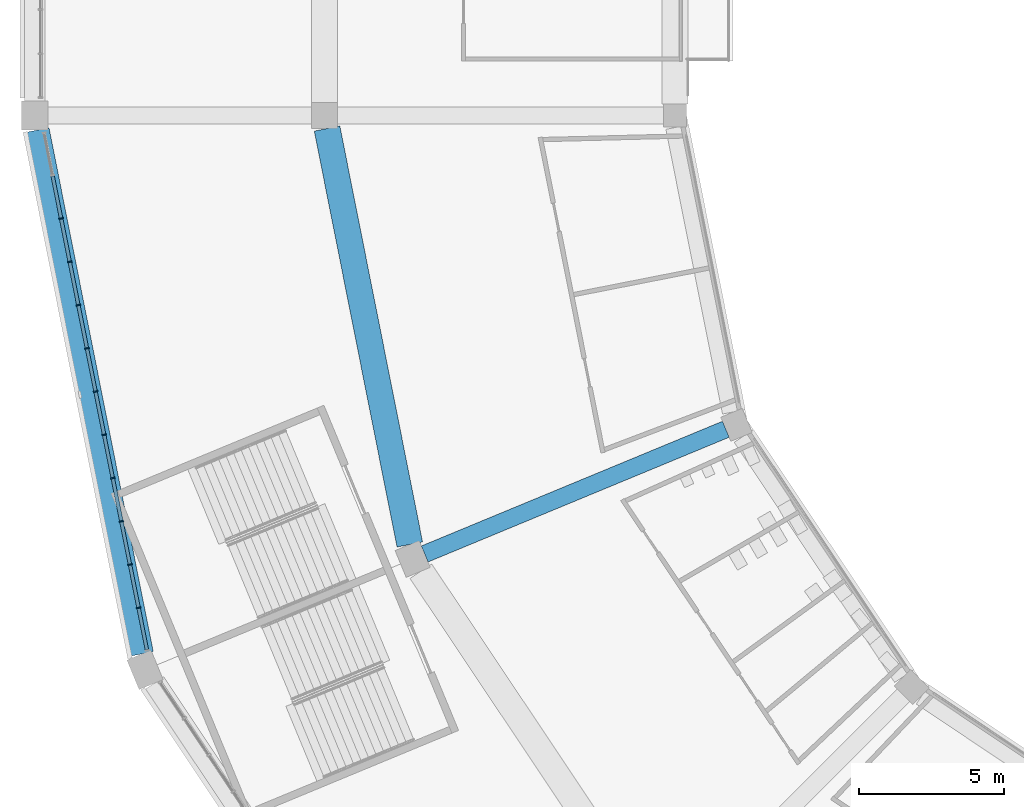
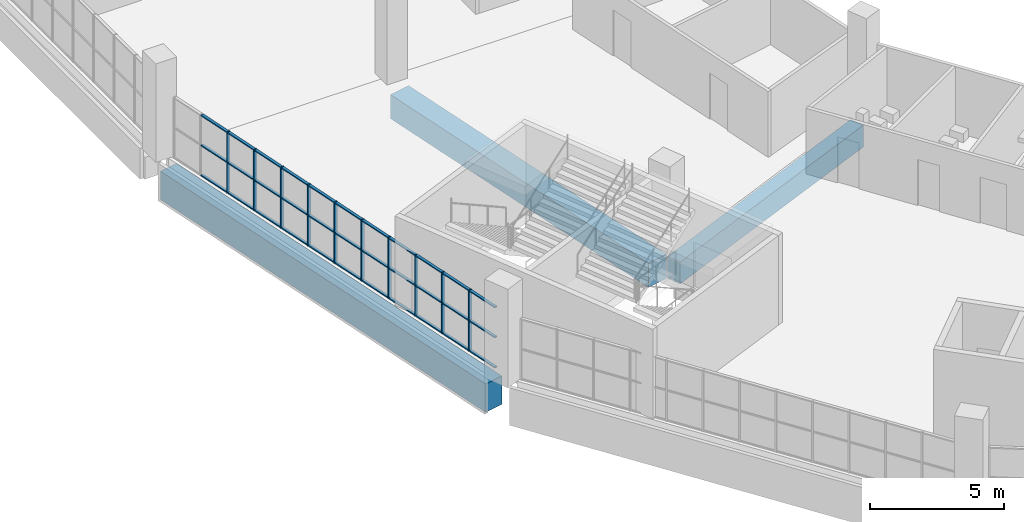
# One storey, part 8 of 199: 43 members, 3 beams, 1 element without a shape of its own.
"""IFC4 building model written with IfcOpenShell, lengths in metres."""

from ifc_helpers import new_model, si_unit, direction, frame, origin, origin_2d, place, context, subcontext, project, spatial, rectangle, extrude, material, material_profile, profile_set, type_object, element, aggregate, save


model = new_model("IFC4")

# Units and contexts
model_context = context("Model", 3, precision=1e-05, world=origin(), true_north=direction((0.0, 1.0)))
body_context = subcontext(model_context, "Body", "Model", "MODEL_VIEW")
ifc_project = project(units=[si_unit("LENGTHUNIT", "METRE"), si_unit("AREAUNIT", "SQUARE_METRE"), si_unit("VOLUMEUNIT", "CUBIC_METRE"), si_unit("PLANEANGLEUNIT", "RADIAN"), si_unit("MASSUNIT", "GRAM", prefix="KILO")], contexts=[model_context])

# Site, building, storey
site_placement = place(None, origin())
site = spatial("IfcSite", under=ifc_project, at=site_placement, CompositionType="ELEMENT")
building_placement = place(site_placement, origin())
building = spatial("IfcBuilding", under=site, at=building_placement, Name="Ogive Plaza Stadium", CompositionType="ELEMENT")
storey_placement = place(building_placement, frame((0.0, 0.0, 9.0)))
storey = spatial("IfcBuildingStorey", under=building, at=storey_placement, Name="L02", CompositionType="ELEMENT", Elevation=9.0)

# Curtain wall, members
ifc_material_1 = material(Name="Bronze-anodised aluminium with laminated glass", Category="aluminium")
curtain_wall_type = type_object("IfcCurtainWallType", Name="Lancet curtain wall", PredefinedType="NOTDEFINED", material=ifc_material_1)
curtain_wall_placement = place(storey_placement, origin())
curtain_wall = element("IfcCurtainWall", 1, at=curtain_wall_placement, inside=storey, type_object=curtain_wall_type, Name="CURTAIN WALL B20 L02", PredefinedType="NOTDEFINED")
ifc_material_2 = material(Name="Bronze-anodised aluminium", Category="aluminium")
ifc_material_profile_1 = material_profile(ifc_material_2, rectangle(XDim=0.14990234375, YDim=0.050048828125, at=origin_2d()), Name="AL 150x50")
ifc_profile_set_1 = profile_set([ifc_material_profile_1], Name="Bronze-anodised aluminium")
member_type_1 = type_object("IfcMemberType", Name="Curtain wall mullion 50x150", PredefinedType="MULLION", material=ifc_profile_set_1)
member_1_placement = place(storey_placement, frame((-80.415771484375, -69.49365234375, 0.0), z_axis=(0.0, 0.0, 1.0), x_axis=(-0.9807852804, -0.195090322033, 0.0)))
member_1 = element("IfcMember", 2, at=member_1_placement, type_object=member_type_1, Name="CW-B20-L02 mullion 2", PredefinedType="MULLION", context=body_context, shape_type="SweptSolid", body=[
    extrude(rectangle(XDim=0.14990234375, YDim=0.050048828125, at=origin_2d()), origin(), (0.0, 0.0, 1.0), 2.7900390625),
])
member_2_placement = place(storey_placement, frame((-80.712890625, -68.00048828125, 0.0), z_axis=(0.0, 0.0, 1.0), x_axis=(-0.9807852804, -0.195090322033, 0.0)))
member_2 = element("IfcMember", 3, at=member_2_placement, type_object=member_type_1, Name="CW-B20-L02 mullion 3", PredefinedType="MULLION", context=body_context, shape_type="SweptSolid", body=[
    extrude(rectangle(XDim=0.14990234375, YDim=0.050048828125, at=origin_2d()), origin(), (0.0, 0.0, 1.0), 2.7900390625),
])
member_3_placement = place(storey_placement, frame((-81.009765625, -66.50732421875, 0.0), z_axis=(0.0, 0.0, 1.0), x_axis=(-0.9807852804, -0.195090322033, 0.0)))
member_3 = element("IfcMember", 4, at=member_3_placement, type_object=member_type_1, Name="CW-B20-L02 mullion 4", PredefinedType="MULLION", context=body_context, shape_type="SweptSolid", body=[
    extrude(rectangle(XDim=0.14990234375, YDim=0.050048828125, at=origin_2d()), origin(), (0.0, 0.0, 1.0), 2.7900390625),
])
member_4_placement = place(storey_placement, frame((-81.306884765625, -65.01416015625, 0.0), z_axis=(0.0, 0.0, 1.0), x_axis=(-0.9807852804, -0.195090322033, 0.0)))
member_4 = element("IfcMember", 5, at=member_4_placement, type_object=member_type_1, Name="CW-B20-L02 mullion 5", PredefinedType="MULLION", context=body_context, shape_type="SweptSolid", body=[
    extrude(rectangle(XDim=0.14990234375, YDim=0.050048828125, at=origin_2d()), origin(), (0.0, 0.0, 1.0), 2.7900390625),
])
member_5_placement = place(storey_placement, frame((-81.603759765625, -63.521240234375, 0.0), z_axis=(0.0, 0.0, 1.0), x_axis=(-0.9807852804, -0.195090322033, 0.0)))
member_5 = element("IfcMember", 6, at=member_5_placement, type_object=member_type_1, Name="CW-B20-L02 mullion 6", PredefinedType="MULLION", context=body_context, shape_type="SweptSolid", body=[
    extrude(rectangle(XDim=0.14990234375, YDim=0.050048828125, at=origin_2d()), origin(), (0.0, 0.0, 1.0), 2.7900390625),
])
member_6_placement = place(storey_placement, frame((-81.90087890625, -62.028076171875, 0.0), z_axis=(0.0, 0.0, 1.0), x_axis=(-0.9807852804, -0.195090322033, 0.0)))
member_6 = element("IfcMember", 7, at=member_6_placement, type_object=member_type_1, Name="CW-B20-L02 mullion 7", PredefinedType="MULLION", context=body_context, shape_type="SweptSolid", body=[
    extrude(rectangle(XDim=0.14990234375, YDim=0.050048828125, at=origin_2d()), origin(), (0.0, 0.0, 1.0), 2.7900390625),
])
member_7_placement = place(storey_placement, frame((-82.19775390625, -60.534912109375, 0.0), z_axis=(0.0, 0.0, 1.0), x_axis=(-0.9807852804, -0.195090322033, 0.0)))
member_7 = element("IfcMember", 8, at=member_7_placement, type_object=member_type_1, Name="CW-B20-L02 mullion 8", PredefinedType="MULLION", context=body_context, shape_type="SweptSolid", body=[
    extrude(rectangle(XDim=0.14990234375, YDim=0.050048828125, at=origin_2d()), origin(), (0.0, 0.0, 1.0), 2.7900390625),
])
member_8_placement = place(storey_placement, frame((-82.494873046875, -59.0419921875, 0.0), z_axis=(0.0, 0.0, 1.0), x_axis=(-0.9807852804, -0.195090322033, 0.0)))
member_8 = element("IfcMember", 9, at=member_8_placement, type_object=member_type_1, Name="CW-B20-L02 mullion 9", PredefinedType="MULLION", context=body_context, shape_type="SweptSolid", body=[
    extrude(rectangle(XDim=0.14990234375, YDim=0.050048828125, at=origin_2d()), origin(), (0.0, 0.0, 1.0), 2.7900390625),
])
member_9_placement = place(storey_placement, frame((-82.791748046875, -57.548828125, 0.0), z_axis=(0.0, 0.0, 1.0), x_axis=(-0.9807852804, -0.195090322033, 0.0)))
member_9 = element("IfcMember", 10, at=member_9_placement, type_object=member_type_1, Name="CW-B20-L02 mullion 10", PredefinedType="MULLION", context=body_context, shape_type="SweptSolid", body=[
    extrude(rectangle(XDim=0.14990234375, YDim=0.050048828125, at=origin_2d()), origin(), (0.0, 0.0, 1.0), 2.7900390625),
])
member_10_placement = place(storey_placement, frame((-83.0888671875, -56.0556640625, 0.0), z_axis=(0.0, 0.0, 1.0), x_axis=(-0.9807852804, -0.195090322033, 0.0)))
member_10 = element("IfcMember", 11, at=member_10_placement, type_object=member_type_1, Name="CW-B20-L02 mullion 11", PredefinedType="MULLION", context=body_context, shape_type="SweptSolid", body=[
    extrude(rectangle(XDim=0.14990234375, YDim=0.050048828125, at=origin_2d()), origin(), (0.0, 0.0, 1.0), 2.7900390625),
])
ifc_material_3 = material(Name="Bronze-anodised aluminium", Category="aluminium")
ifc_material_profile_2 = material_profile(ifc_material_3, rectangle(XDim=0.1201171875, YDim=0.050048828125, at=origin_2d()), Name="AL 120x50")
ifc_profile_set_2 = profile_set([ifc_material_profile_2], Name="Bronze-anodised aluminium")
member_type_2 = type_object("IfcMemberType", Name="Curtain wall transom 50x120", PredefinedType="USERDEFINED", material=ifc_profile_set_2)
member_11_placement = place(storey_placement, frame((-80.128662109375, -70.9375, 0.02490234375), z_axis=(-0.195012996379, 0.98080065826, 0.0), x_axis=(-0.98080065826, -0.195012996379, 0.0)))
member_11 = element("IfcMember", 12, at=member_11_placement, type_object=member_type_2, Name="CW-B20-L02 transom 1.1", ObjectType="TRANSOM", PredefinedType="USERDEFINED", context=body_context, shape_type="SweptSolid", body=[
    extrude(rectangle(XDim=0.1201171875, YDim=0.050048828125, at=origin_2d()), origin(), (0.0, 0.0, 1.0), 1.447265625),
])
member_12_placement = place(storey_placement, frame((-80.128662109375, -70.9375, 1.39501953125), z_axis=(-0.195012996379, 0.98080065826, 0.0), x_axis=(-0.98080065826, -0.195012996379, 0.0)))
member_12 = element("IfcMember", 13, at=member_12_placement, type_object=member_type_2, Name="CW-B20-L02 transom 1.2", ObjectType="TRANSOM", PredefinedType="USERDEFINED", context=body_context, shape_type="SweptSolid", body=[
    extrude(rectangle(XDim=0.1201171875, YDim=0.050048828125, at=origin_2d()), origin(), (0.0, 0.0, 1.0), 1.447265625),
])
member_13_placement = place(storey_placement, frame((-80.128662109375, -70.9375, 2.764892578125), z_axis=(-0.195012996379, 0.98080065826, 0.0), x_axis=(-0.98080065826, -0.195012996379, 0.0)))
member_13 = element("IfcMember", 14, at=member_13_placement, type_object=member_type_2, Name="CW-B20-L02 transom 1.3", ObjectType="TRANSOM", PredefinedType="USERDEFINED", context=body_context, shape_type="SweptSolid", body=[
    extrude(rectangle(XDim=0.1201171875, YDim=0.050048828125, at=origin_2d()), origin(), (0.0, 0.0, 1.0), 1.447265625),
])
member_14_placement = place(storey_placement, frame((-80.420654296875, -69.468994140625, 0.02490234375), z_axis=(-0.195159440417, 0.980771529367, 0.0), x_axis=(-0.980771529367, -0.195159440417, 0.0)))
member_14 = element("IfcMember", 15, at=member_14_placement, type_object=member_type_2, Name="CW-B20-L02 transom 2.1", ObjectType="TRANSOM", PredefinedType="USERDEFINED", context=body_context, shape_type="SweptSolid", body=[
    extrude(rectangle(XDim=0.1201171875, YDim=0.050048828125, at=origin_2d()), origin(), (0.0, 0.0, 1.0), 1.472412109375),
])
member_15_placement = place(storey_placement, frame((-80.420654296875, -69.468994140625, 1.39501953125), z_axis=(-0.195159440417, 0.980771529367, 0.0), x_axis=(-0.980771529367, -0.195159440417, 0.0)))
member_15 = element("IfcMember", 16, at=member_15_placement, type_object=member_type_2, Name="CW-B20-L02 transom 2.2", ObjectType="TRANSOM", PredefinedType="USERDEFINED", context=body_context, shape_type="SweptSolid", body=[
    extrude(rectangle(XDim=0.1201171875, YDim=0.050048828125, at=origin_2d()), origin(), (0.0, 0.0, 1.0), 1.472412109375),
])
member_16_placement = place(storey_placement, frame((-80.420654296875, -69.468994140625, 2.764892578125), z_axis=(-0.195159440417, 0.980771529367, 0.0), x_axis=(-0.980771529367, -0.195159440417, 0.0)))
member_16 = element("IfcMember", 17, at=member_16_placement, type_object=member_type_2, Name="CW-B20-L02 transom 2.3", ObjectType="TRANSOM", PredefinedType="USERDEFINED", context=body_context, shape_type="SweptSolid", body=[
    extrude(rectangle(XDim=0.1201171875, YDim=0.050048828125, at=origin_2d()), origin(), (0.0, 0.0, 1.0), 1.472412109375),
])
member_17_placement = place(storey_placement, frame((-80.7177734375, -67.975830078125, 0.02490234375), z_axis=(-0.19503165555, 0.980796948065, 0.0), x_axis=(-0.980796948065, -0.19503165555, 0.0)))
member_17 = element("IfcMember", 18, at=member_17_placement, type_object=member_type_2, Name="CW-B20-L02 transom 3.1", ObjectType="TRANSOM", PredefinedType="USERDEFINED", context=body_context, shape_type="SweptSolid", body=[
    extrude(rectangle(XDim=0.1201171875, YDim=0.050048828125, at=origin_2d()), origin(), (0.0, 0.0, 1.0), 1.47216796875),
])
member_18_placement = place(storey_placement, frame((-80.7177734375, -67.975830078125, 1.39501953125), z_axis=(-0.19503165555, 0.980796948065, 0.0), x_axis=(-0.980796948065, -0.19503165555, 0.0)))
member_18 = element("IfcMember", 19, at=member_18_placement, type_object=member_type_2, Name="CW-B20-L02 transom 3.2", ObjectType="TRANSOM", PredefinedType="USERDEFINED", context=body_context, shape_type="SweptSolid", body=[
    extrude(rectangle(XDim=0.1201171875, YDim=0.050048828125, at=origin_2d()), origin(), (0.0, 0.0, 1.0), 1.47216796875),
])
member_19_placement = place(storey_placement, frame((-80.7177734375, -67.975830078125, 2.764892578125), z_axis=(-0.19503165555, 0.980796948065, 0.0), x_axis=(-0.980796948065, -0.19503165555, 0.0)))
member_19 = element("IfcMember", 20, at=member_19_placement, type_object=member_type_2, Name="CW-B20-L02 transom 3.3", ObjectType="TRANSOM", PredefinedType="USERDEFINED", context=body_context, shape_type="SweptSolid", body=[
    extrude(rectangle(XDim=0.1201171875, YDim=0.050048828125, at=origin_2d()), origin(), (0.0, 0.0, 1.0), 1.47216796875),
])
member_20_placement = place(storey_placement, frame((-81.0146484375, -66.48291015625, 0.02490234375), z_axis=(-0.195159440417, 0.980771529367, 0.0), x_axis=(-0.980771529367, -0.195159440417, 0.0)))
member_20 = element("IfcMember", 21, at=member_20_placement, type_object=member_type_2, Name="CW-B20-L02 transom 4.1", ObjectType="TRANSOM", PredefinedType="USERDEFINED", context=body_context, shape_type="SweptSolid", body=[
    extrude(rectangle(XDim=0.1201171875, YDim=0.050048828125, at=origin_2d()), origin(), (0.0, 0.0, 1.0), 1.472412109375),
])
member_21_placement = place(storey_placement, frame((-81.0146484375, -66.48291015625, 1.39501953125), z_axis=(-0.195159440417, 0.980771529367, 0.0), x_axis=(-0.980771529367, -0.195159440417, 0.0)))
member_21 = element("IfcMember", 22, at=member_21_placement, type_object=member_type_2, Name="CW-B20-L02 transom 4.2", ObjectType="TRANSOM", PredefinedType="USERDEFINED", context=body_context, shape_type="SweptSolid", body=[
    extrude(rectangle(XDim=0.1201171875, YDim=0.050048828125, at=origin_2d()), origin(), (0.0, 0.0, 1.0), 1.472412109375),
])
member_22_placement = place(storey_placement, frame((-81.0146484375, -66.48291015625, 2.764892578125), z_axis=(-0.195159440417, 0.980771529367, 0.0), x_axis=(-0.980771529367, -0.195159440417, 0.0)))
member_22 = element("IfcMember", 23, at=member_22_placement, type_object=member_type_2, Name="CW-B20-L02 transom 4.3", ObjectType="TRANSOM", PredefinedType="USERDEFINED", context=body_context, shape_type="SweptSolid", body=[
    extrude(rectangle(XDim=0.1201171875, YDim=0.050048828125, at=origin_2d()), origin(), (0.0, 0.0, 1.0), 1.472412109375),
])
member_23_placement = place(storey_placement, frame((-81.311767578125, -64.98974609375, 0.02490234375), z_axis=(-0.194999937042, 0.980803254763, 0.0), x_axis=(-0.980803254763, -0.194999937042, 0.0)))
member_23 = element("IfcMember", 24, at=member_23_placement, type_object=member_type_2, Name="CW-B20-L02 transom 5.1", ObjectType="TRANSOM", PredefinedType="USERDEFINED", context=body_context, shape_type="SweptSolid", body=[
    extrude(rectangle(XDim=0.1201171875, YDim=0.050048828125, at=origin_2d()), origin(), (0.0, 0.0, 1.0), 1.472412109375),
])
member_24_placement = place(storey_placement, frame((-81.311767578125, -64.98974609375, 1.39501953125), z_axis=(-0.194999937042, 0.980803254763, 0.0), x_axis=(-0.980803254763, -0.194999937042, 0.0)))
member_24 = element("IfcMember", 25, at=member_24_placement, type_object=member_type_2, Name="CW-B20-L02 transom 5.2", ObjectType="TRANSOM", PredefinedType="USERDEFINED", context=body_context, shape_type="SweptSolid", body=[
    extrude(rectangle(XDim=0.1201171875, YDim=0.050048828125, at=origin_2d()), origin(), (0.0, 0.0, 1.0), 1.472412109375),
])
member_25_placement = place(storey_placement, frame((-81.311767578125, -64.98974609375, 2.764892578125), z_axis=(-0.194999937042, 0.980803254763, 0.0), x_axis=(-0.980803254763, -0.194999937042, 0.0)))
member_25 = element("IfcMember", 26, at=member_25_placement, type_object=member_type_2, Name="CW-B20-L02 transom 5.3", ObjectType="TRANSOM", PredefinedType="USERDEFINED", context=body_context, shape_type="SweptSolid", body=[
    extrude(rectangle(XDim=0.1201171875, YDim=0.050048828125, at=origin_2d()), origin(), (0.0, 0.0, 1.0), 1.472412109375),
])
member_26_placement = place(storey_placement, frame((-81.608642578125, -63.49658203125, 0.02490234375), z_axis=(-0.195159440417, 0.980771529367, 0.0), x_axis=(-0.980771529367, -0.195159440417, 0.0)))
member_26 = element("IfcMember", 27, at=member_26_placement, type_object=member_type_2, Name="CW-B20-L02 transom 6.1", ObjectType="TRANSOM", PredefinedType="USERDEFINED", context=body_context, shape_type="SweptSolid", body=[
    extrude(rectangle(XDim=0.1201171875, YDim=0.050048828125, at=origin_2d()), origin(), (0.0, 0.0, 1.0), 1.472412109375),
])
member_27_placement = place(storey_placement, frame((-81.608642578125, -63.49658203125, 1.39501953125), z_axis=(-0.195159440417, 0.980771529367, 0.0), x_axis=(-0.980771529367, -0.195159440417, 0.0)))
member_27 = element("IfcMember", 28, at=member_27_placement, type_object=member_type_2, Name="CW-B20-L02 transom 6.2", ObjectType="TRANSOM", PredefinedType="USERDEFINED", context=body_context, shape_type="SweptSolid", body=[
    extrude(rectangle(XDim=0.1201171875, YDim=0.050048828125, at=origin_2d()), origin(), (0.0, 0.0, 1.0), 1.472412109375),
])
member_28_placement = place(storey_placement, frame((-81.608642578125, -63.49658203125, 2.764892578125), z_axis=(-0.195159440417, 0.980771529367, 0.0), x_axis=(-0.980771529367, -0.195159440417, 0.0)))
member_28 = element("IfcMember", 29, at=member_28_placement, type_object=member_type_2, Name="CW-B20-L02 transom 6.3", ObjectType="TRANSOM", PredefinedType="USERDEFINED", context=body_context, shape_type="SweptSolid", body=[
    extrude(rectangle(XDim=0.1201171875, YDim=0.050048828125, at=origin_2d()), origin(), (0.0, 0.0, 1.0), 1.472412109375),
])
member_29_placement = place(storey_placement, frame((-81.90576171875, -62.003662109375, 0.02490234375), z_axis=(-0.194999937042, 0.980803254763, 0.0), x_axis=(-0.980803254763, -0.194999937042, 0.0)))
member_29 = element("IfcMember", 30, at=member_29_placement, type_object=member_type_2, Name="CW-B20-L02 transom 7.1", ObjectType="TRANSOM", PredefinedType="USERDEFINED", context=body_context, shape_type="SweptSolid", body=[
    extrude(rectangle(XDim=0.1201171875, YDim=0.050048828125, at=origin_2d()), origin(), (0.0, 0.0, 1.0), 1.472412109375),
])
member_30_placement = place(storey_placement, frame((-81.90576171875, -62.003662109375, 1.39501953125), z_axis=(-0.194999937042, 0.980803254763, 0.0), x_axis=(-0.980803254763, -0.194999937042, 0.0)))
member_30 = element("IfcMember", 31, at=member_30_placement, type_object=member_type_2, Name="CW-B20-L02 transom 7.2", ObjectType="TRANSOM", PredefinedType="USERDEFINED", context=body_context, shape_type="SweptSolid", body=[
    extrude(rectangle(XDim=0.1201171875, YDim=0.050048828125, at=origin_2d()), origin(), (0.0, 0.0, 1.0), 1.472412109375),
])
member_31_placement = place(storey_placement, frame((-81.90576171875, -62.003662109375, 2.764892578125), z_axis=(-0.194999937042, 0.980803254763, 0.0), x_axis=(-0.980803254763, -0.194999937042, 0.0)))
member_31 = element("IfcMember", 32, at=member_31_placement, type_object=member_type_2, Name="CW-B20-L02 transom 7.3", ObjectType="TRANSOM", PredefinedType="USERDEFINED", context=body_context, shape_type="SweptSolid", body=[
    extrude(rectangle(XDim=0.1201171875, YDim=0.050048828125, at=origin_2d()), origin(), (0.0, 0.0, 1.0), 1.472412109375),
])
member_32_placement = place(storey_placement, frame((-82.20263671875, -60.510498046875, 0.02490234375), z_axis=(-0.195159440417, 0.980771529367, 0.0), x_axis=(-0.980771529367, -0.195159440417, 0.0)))
member_32 = element("IfcMember", 33, at=member_32_placement, type_object=member_type_2, Name="CW-B20-L02 transom 8.1", ObjectType="TRANSOM", PredefinedType="USERDEFINED", context=body_context, shape_type="SweptSolid", body=[
    extrude(rectangle(XDim=0.1201171875, YDim=0.050048828125, at=origin_2d()), origin(), (0.0, 0.0, 1.0), 1.472412109375),
])
member_33_placement = place(storey_placement, frame((-82.20263671875, -60.510498046875, 1.39501953125), z_axis=(-0.195159440417, 0.980771529367, 0.0), x_axis=(-0.980771529367, -0.195159440417, 0.0)))
member_33 = element("IfcMember", 34, at=member_33_placement, type_object=member_type_2, Name="CW-B20-L02 transom 8.2", ObjectType="TRANSOM", PredefinedType="USERDEFINED", context=body_context, shape_type="SweptSolid", body=[
    extrude(rectangle(XDim=0.1201171875, YDim=0.050048828125, at=origin_2d()), origin(), (0.0, 0.0, 1.0), 1.472412109375),
])
member_34_placement = place(storey_placement, frame((-82.20263671875, -60.510498046875, 2.764892578125), z_axis=(-0.195159440417, 0.980771529367, 0.0), x_axis=(-0.980771529367, -0.195159440417, 0.0)))
member_34 = element("IfcMember", 35, at=member_34_placement, type_object=member_type_2, Name="CW-B20-L02 transom 8.3", ObjectType="TRANSOM", PredefinedType="USERDEFINED", context=body_context, shape_type="SweptSolid", body=[
    extrude(rectangle(XDim=0.1201171875, YDim=0.050048828125, at=origin_2d()), origin(), (0.0, 0.0, 1.0), 1.472412109375),
])
member_35_placement = place(storey_placement, frame((-82.499755859375, -59.017333984375, 0.02490234375), z_axis=(-0.194999937042, 0.980803254763, 0.0), x_axis=(-0.980803254763, -0.194999937042, 0.0)))
member_35 = element("IfcMember", 36, at=member_35_placement, type_object=member_type_2, Name="CW-B20-L02 transom 9.1", ObjectType="TRANSOM", PredefinedType="USERDEFINED", context=body_context, shape_type="SweptSolid", body=[
    extrude(rectangle(XDim=0.1201171875, YDim=0.050048828125, at=origin_2d()), origin(), (0.0, 0.0, 1.0), 1.472412109375),
])
member_36_placement = place(storey_placement, frame((-82.499755859375, -59.017333984375, 1.39501953125), z_axis=(-0.194999937042, 0.980803254763, 0.0), x_axis=(-0.980803254763, -0.194999937042, 0.0)))
member_36 = element("IfcMember", 37, at=member_36_placement, type_object=member_type_2, Name="CW-B20-L02 transom 9.2", ObjectType="TRANSOM", PredefinedType="USERDEFINED", context=body_context, shape_type="SweptSolid", body=[
    extrude(rectangle(XDim=0.1201171875, YDim=0.050048828125, at=origin_2d()), origin(), (0.0, 0.0, 1.0), 1.472412109375),
])
member_37_placement = place(storey_placement, frame((-82.499755859375, -59.017333984375, 2.764892578125), z_axis=(-0.194999937042, 0.980803254763, 0.0), x_axis=(-0.980803254763, -0.194999937042, 0.0)))
member_37 = element("IfcMember", 38, at=member_37_placement, type_object=member_type_2, Name="CW-B20-L02 transom 9.3", ObjectType="TRANSOM", PredefinedType="USERDEFINED", context=body_context, shape_type="SweptSolid", body=[
    extrude(rectangle(XDim=0.1201171875, YDim=0.050048828125, at=origin_2d()), origin(), (0.0, 0.0, 1.0), 1.472412109375),
])
member_38_placement = place(storey_placement, frame((-82.796630859375, -57.524169921875, 0.02490234375), z_axis=(-0.195191182816, 0.980765212551, 0.0), x_axis=(-0.980765212551, -0.195191182816, 0.0)))
member_38 = element("IfcMember", 39, at=member_38_placement, type_object=member_type_2, Name="CW-B20-L02 transom 10.1", ObjectType="TRANSOM", PredefinedType="USERDEFINED", context=body_context, shape_type="SweptSolid", body=[
    extrude(rectangle(XDim=0.1201171875, YDim=0.050048828125, at=origin_2d()), origin(), (0.0, 0.0, 1.0), 1.47216796875),
])
member_39_placement = place(storey_placement, frame((-82.796630859375, -57.524169921875, 1.39501953125), z_axis=(-0.195191182816, 0.980765212551, 0.0), x_axis=(-0.980765212551, -0.195191182816, 0.0)))
member_39 = element("IfcMember", 40, at=member_39_placement, type_object=member_type_2, Name="CW-B20-L02 transom 10.2", ObjectType="TRANSOM", PredefinedType="USERDEFINED", context=body_context, shape_type="SweptSolid", body=[
    extrude(rectangle(XDim=0.1201171875, YDim=0.050048828125, at=origin_2d()), origin(), (0.0, 0.0, 1.0), 1.47216796875),
])
member_40_placement = place(storey_placement, frame((-82.796630859375, -57.524169921875, 2.764892578125), z_axis=(-0.195191182816, 0.980765212551, 0.0), x_axis=(-0.980765212551, -0.195191182816, 0.0)))
member_40 = element("IfcMember", 41, at=member_40_placement, type_object=member_type_2, Name="CW-B20-L02 transom 10.3", ObjectType="TRANSOM", PredefinedType="USERDEFINED", context=body_context, shape_type="SweptSolid", body=[
    extrude(rectangle(XDim=0.1201171875, YDim=0.050048828125, at=origin_2d()), origin(), (0.0, 0.0, 1.0), 1.47216796875),
])
member_41_placement = place(storey_placement, frame((-83.09375, -56.03125, 0.02490234375), z_axis=(-0.194999937042, 0.980803254763, 0.0), x_axis=(-0.980803254763, -0.194999937042, 0.0)))
member_41 = element("IfcMember", 42, at=member_41_placement, type_object=member_type_2, Name="CW-B20-L02 transom 11.1", ObjectType="TRANSOM", PredefinedType="USERDEFINED", context=body_context, shape_type="SweptSolid", body=[
    extrude(rectangle(XDim=0.1201171875, YDim=0.050048828125, at=origin_2d()), origin(), (0.0, 0.0, 1.0), 1.472412109375),
])
member_42_placement = place(storey_placement, frame((-83.09375, -56.03125, 1.39501953125), z_axis=(-0.194999937042, 0.980803254763, 0.0), x_axis=(-0.980803254763, -0.194999937042, 0.0)))
member_42 = element("IfcMember", 43, at=member_42_placement, type_object=member_type_2, Name="CW-B20-L02 transom 11.2", ObjectType="TRANSOM", PredefinedType="USERDEFINED", context=body_context, shape_type="SweptSolid", body=[
    extrude(rectangle(XDim=0.1201171875, YDim=0.050048828125, at=origin_2d()), origin(), (0.0, 0.0, 1.0), 1.472412109375),
])
member_43_placement = place(storey_placement, frame((-83.09375, -56.03125, 2.764892578125), z_axis=(-0.194999937042, 0.980803254763, 0.0), x_axis=(-0.980803254763, -0.194999937042, 0.0)))
member_43 = element("IfcMember", 44, at=member_43_placement, type_object=member_type_2, Name="CW-B20-L02 transom 11.3", ObjectType="TRANSOM", PredefinedType="USERDEFINED", context=body_context, shape_type="SweptSolid", body=[
    extrude(rectangle(XDim=0.1201171875, YDim=0.050048828125, at=origin_2d()), origin(), (0.0, 0.0, 1.0), 1.472412109375),
])
aggregate(curtain_wall, [member_1, member_2, member_3, member_4, member_5, member_6, member_7, member_8, member_9, member_10, member_11, member_12, member_13, member_14, member_15, member_16, member_17, member_18, member_19, member_20, member_21, member_22, member_23, member_24, member_25, member_26, member_27, member_28, member_29, member_30, member_31, member_32, member_33, member_34, member_35, member_36, member_37, member_38, member_39, member_40, member_41, member_42, member_43])

# Beams
ifc_material_4 = material(Name="Concrete C40/50", Category="concrete")
ifc_material_profile_3 = material_profile(ifc_material_4, rectangle(XDim=0.60009765625, YDim=1.0, at=origin_2d()), Name="RC 600x1000")
ifc_profile_set_3 = profile_set([ifc_material_profile_3], Name="Concrete C40/50")
beam_type_1 = type_object("IfcBeamType", Name="RC radial beam 600x1000", PredefinedType="BEAM", material=ifc_profile_set_3)
beam_1_placement = place(storey_placement, frame((-60.145751953125, -63.329833984375, -0.909912109375), z_axis=(-0.92388194159, -0.382677616283, 0.0), x_axis=(0.382677616283, -0.92388194159, 0.0)))
element("IfcBeam", 45, at=beam_1_placement, inside=storey, type_object=beam_type_1, Name="Radial beam L02 R20 F3F4", PredefinedType="BEAM", context=body_context, shape_type="SweptSolid", body=[
    extrude(rectangle(XDim=0.60009765625, YDim=1.0, at=origin_2d()), origin(), (0.0, 0.0, 1.0), 11.250244140625),
])
ifc_material_5 = material(Name="Concrete C40/50", Category="concrete")
ifc_material_profile_4 = material_profile(ifc_material_5, rectangle(XDim=0.89990234375, YDim=1.10009765625, at=origin_2d()), Name="RC 900x1100")
ifc_profile_set_4 = profile_set([ifc_material_profile_4], Name="Concrete C40/50")
beam_type_2 = type_object("IfcBeamType", Name="RC ring beam 900x1100", PredefinedType="BEAM", material=ifc_profile_set_4)
beam_2_placement = place(storey_placement, frame((-71.0546875, -67.307373046875, -0.9599609375), z_axis=(-0.195080078519, 0.980787317906, 0.0), x_axis=(-0.980787317906, -0.195080078519, 0.0)))
element("IfcBeam", 46, at=beam_2_placement, inside=storey, type_object=beam_type_2, Name="Ring beam F4 L02 B20", PredefinedType="BEAM", context=body_context, shape_type="SweptSolid", body=[
    extrude(rectangle(XDim=0.89990234375, YDim=1.10009765625, at=origin_2d()), origin(), (0.0, 0.0, 1.0), 14.638671875),
])
ifc_material_6 = material(Name="Concrete C40/50", Category="concrete")
ifc_material_profile_5 = material_profile(ifc_material_6, rectangle(XDim=0.800048828125, YDim=1.300048828125, at=origin_2d()), Name="RC 800x1300")
ifc_profile_set_5 = profile_set([ifc_material_profile_5], Name="Concrete C40/50")
beam_type_3 = type_object("IfcBeamType", Name="RC spandrel beam 800x1300", PredefinedType="SPANDREL", material=ifc_profile_set_5)
beam_3_placement = place(storey_placement, frame((-80.303466796875, -71.084228515625, -1.06005859375), z_axis=(-0.195089866178, 0.980785371075, 0.0), x_axis=(-0.980785371075, -0.195089866178, 0.0)))
element("IfcBeam", 47, at=beam_3_placement, inside=storey, type_object=beam_type_3, Name="Ring beam F5 L02 B20", PredefinedType="SPANDREL", context=body_context, shape_type="SweptSolid", body=[
    extrude(rectangle(XDim=0.800048828125, YDim=1.300048828125, at=origin_2d()), origin(), (0.0, 0.0, 1.0), 18.4384765625),
])

save(model, "model.ifc")
